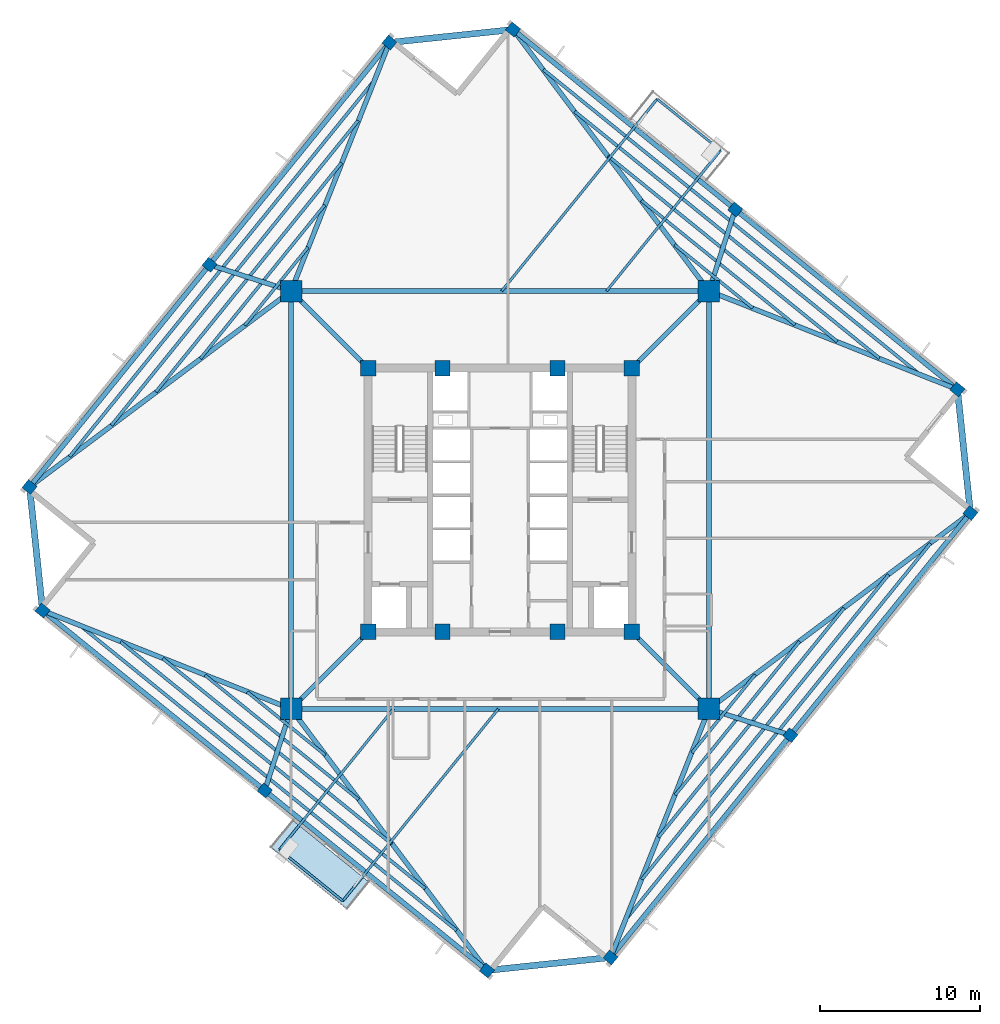
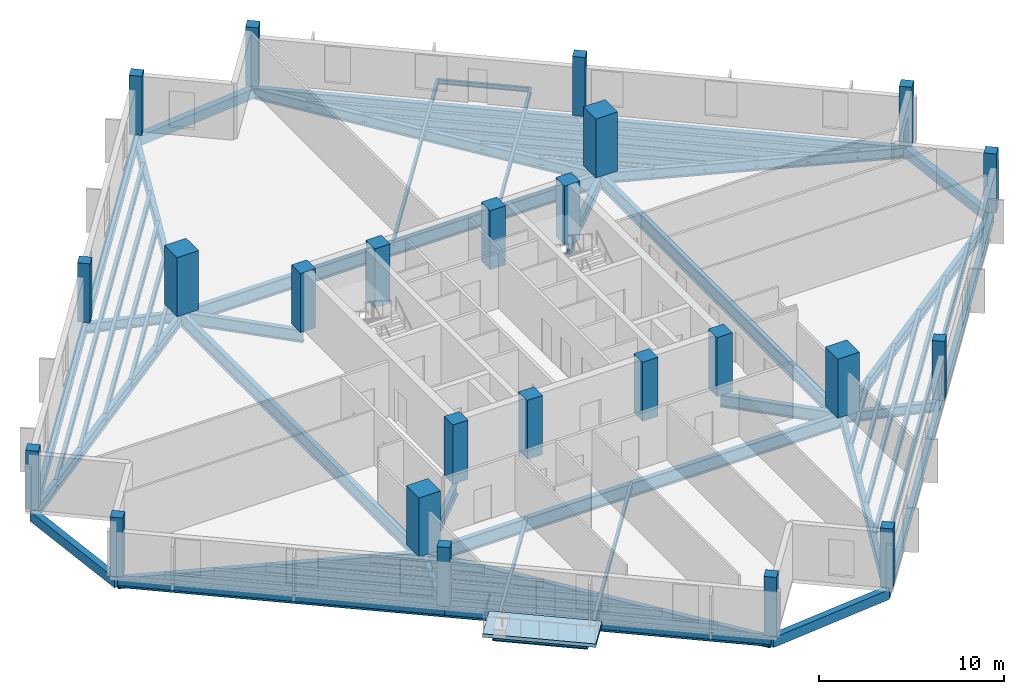
# One storey, part 1 of 10: 58 beams, 24 columns, 1 slab.
"""IFC4 building model written with IfcOpenShell, lengths in metres."""

from ifc_helpers import new_model, si_unit, direction, frame, origin, origin_2d, place, context, subcontext, project, spatial, polyline, rectangle, i_section, outline, extrude, source, transform, mapped, material, layer, layer_set, material_profile, profile_set, type_object, element, save


model = new_model("IFC4")

# Units and contexts
model_context = context("Model", 3, precision=1e-05, world=origin(), true_north=direction((0.0, 1.0)))
body_context = subcontext(model_context, "Body", "Model", "MODEL_VIEW")
ifc_project = project(units=[si_unit("LENGTHUNIT", "METRE"), si_unit("AREAUNIT", "SQUARE_METRE"), si_unit("VOLUMEUNIT", "CUBIC_METRE"), si_unit("PLANEANGLEUNIT", "RADIAN"), si_unit("MASSUNIT", "GRAM", prefix="KILO"), si_unit("THERMODYNAMICTEMPERATUREUNIT", "KELVIN")], contexts=[model_context])

# Site, building, storey
site_placement = place(None, origin())
site = spatial("IfcSite", under=ifc_project, at=site_placement, CompositionType="ELEMENT")
building_placement = place(site_placement, origin())
building = spatial("IfcBuilding", under=site, at=building_placement, Name="Kosmvard Interchange Tower", CompositionType="ELEMENT")
storey_placement = place(building_placement, frame((0.0, 0.0, 205.60009765625)))
storey = spatial("IfcBuildingStorey", under=building, at=storey_placement, Name="L49", CompositionType="ELEMENT", Elevation=205.60009765625)

# Columns
ifc_material_1 = material(Name="Concrete C60/75", Category="concrete")
ifc_material_profile_1 = material_profile(ifc_material_1, rectangle(XDim=0.949951171875, YDim=0.949951171875, at=origin_2d()), Name="CP 950x950")
ifc_profile_set_1 = profile_set([ifc_material_profile_1], Name="Concrete C60/75")
column_type_1 = type_object("IfcColumnType", Name="Core Boundary Pilaster 950x950 C60/75", PredefinedType="PILASTER", material=ifc_profile_set_1)
shared_shape_1 = source(origin(), body_context, "Body", "SweptSolid", [
    extrude(rectangle(XDim=0.949951171875, YDim=0.949951171875, at=origin_2d()), origin(), (0.0, 0.0, 1.0), 3.89990234375),
])
for number, where, z_axis, x_axis, name in (
    (1, (-8.25, -8.25, 0.0), (0.0, 0.0, 1.0), (1.0, 0.0, 0.0), "L49 Core Pilaster CP1"),
    (2, (8.25, -8.25, 0.0), (0.0, 0.0, 1.0), (1.0, 0.0, 0.0), "L49 Core Pilaster CP2"),
    (3, (8.25, 8.25, 0.0), (0.0, 0.0, 1.0), (1.0, 0.0, 0.0), "L49 Core Pilaster CP3"),
    (4, (-8.25, 8.25, 0.0), (0.0, 0.0, 1.0), (1.0, 0.0, 0.0), "L49 Core Pilaster CP4"),
    (5, (-3.60009765625, -8.25, 0.0), (0.0, 0.0, 1.0), (1.0, 0.0, 0.0), "L49 Core Pilaster CP5"),
    (6, (3.60009765625, -8.25, 0.0), (0.0, 0.0, 1.0), (1.0, 0.0, 0.0), "L49 Core Pilaster CP6"),
    (7, (-3.60009765625, 8.25, 0.0), (0.0, 0.0, 1.0), (1.0, 0.0, 0.0), "L49 Core Pilaster CP7"),
    (8, (3.60009765625, 8.25, 0.0), (0.0, 0.0, 1.0), (1.0, 0.0, 0.0), "L49 Core Pilaster CP8"),
):
    element("IfcColumn", number, at=place(storey_placement, frame(where, z_axis=z_axis, x_axis=x_axis)), inside=storey, type_object=column_type_1, Name=name, PredefinedType="PILASTER", context=body_context, shape_type="MappedRepresentation", body=[
        mapped(shared_shape_1, transform((0.0, 0.0, 0.0), scale=1.0)),
    ])
ifc_material_profile_2 = material_profile(ifc_material_1, rectangle(XDim=1.35009765625, YDim=1.35009765625, at=origin_2d()), Name="MC 1350x1350")
ifc_profile_set_2 = profile_set([ifc_material_profile_2], Name="Concrete C60/75")
column_type_2 = type_object("IfcColumnType", Name="Composite Mega-Column 1350x1350 C60/75", PredefinedType="COLUMN", material=ifc_profile_set_2)
shared_shape_2 = source(origin(), body_context, "Body", "SweptSolid", [
    extrude(rectangle(XDim=1.35009765625, YDim=1.35009765625, at=origin_2d()), origin(), (0.0, 0.0, 1.0), 3.89990234375),
])
for number, where, z_axis, x_axis, name in (
    (9, (-13.0810546875, -13.0810546875, 0.0), (0.0, 0.0, 1.0), (1.0, 0.0, 0.0), "L49 Corner Mega-Column MC1"),
    (10, (13.0810546875, -13.0810546875, 0.0), (0.0, 0.0, 1.0), (1.0, 0.0, 0.0), "L49 Corner Mega-Column MC2"),
    (11, (13.0810546875, 13.0810546875, 0.0), (0.0, 0.0, 1.0), (1.0, 0.0, 0.0), "L49 Corner Mega-Column MC3"),
    (12, (-13.0810546875, 13.0810546875, 0.0), (0.0, 0.0, 1.0), (1.0, 0.0, 0.0), "L49 Corner Mega-Column MC4"),
):
    element("IfcColumn", number, at=place(storey_placement, frame(where, z_axis=z_axis, x_axis=x_axis)), inside=storey, type_object=column_type_2, Name=name, PredefinedType="COLUMN", context=body_context, shape_type="MappedRepresentation", body=[
        mapped(shared_shape_2, transform((0.0, 0.0, 0.0), scale=1.0)),
    ])
ifc_material_2 = material(Name="Concrete C50/60", Category="concrete")
ifc_material_profile_3 = material_profile(ifc_material_2, rectangle(XDim=0.64990234375, YDim=0.699951171875, at=origin_2d()), Name="TC 700x650")
ifc_profile_set_3 = profile_set([ifc_material_profile_3], Name="Concrete C50/60")
column_type_3 = type_object("IfcColumnType", Name="Zone 4 Perimeter Pier Column 700x650 C50/60", PredefinedType="COLUMN", material=ifc_profile_set_3)
shared_shape_3 = source(origin(), body_context, "Body", "SweptSolid", [
    extrude(rectangle(XDim=0.64990234375, YDim=0.699951171875, at=origin_2d()), origin(), (0.0, 0.0, 1.0), 3.89990234375),
])
for number, where, z_axis, x_axis, name in (
    (13, (6.92041015625, -28.636962890625, 0.0), (0.0, 0.0, 1.0), (0.62932039105, 0.777145961457, 0.0), "L49 Perimeter Pier Column TC-S1"),
    (14, (18.185302734375, -14.72607421875, 0.0), (0.0, 0.0, 1.0), (0.62932039105, 0.777145961457, 0.0), "L49 Perimeter Pier Column TC-S2"),
    (15, (29.449951171875, -0.815185546875, 0.0), (0.0, 0.0, 1.0), (0.62932039105, 0.777145961457, 0.0), "L49 Perimeter Pier Column TC-S3"),
    (16, (28.636962890625, 6.92041015625, 0.0), (0.0, 0.0, 1.0), (0.62932039105, 0.777145961457, 0.0), "L49 Perimeter Pier Column TC-E1"),
    (17, (14.72607421875, 18.185302734375, 0.0), (0.0, 0.0, 1.0), (0.62932039105, 0.777145961457, 0.0), "L49 Perimeter Pier Column TC-E2"),
    (18, (0.815185546875, 29.449951171875, 0.0), (0.0, 0.0, 1.0), (0.62932039105, 0.777145961457, 0.0), "L49 Perimeter Pier Column TC-E3"),
    (19, (-6.92041015625, 28.636962890625, 0.0), (0.0, 0.0, 1.0), (0.62932039105, 0.777145961457, 0.0), "L49 Perimeter Pier Column TC-N1"),
    (20, (-18.185302734375, 14.72607421875, 0.0), (0.0, 0.0, 1.0), (0.62932039105, 0.777145961457, 0.0), "L49 Perimeter Pier Column TC-N2"),
    (21, (-29.449951171875, 0.815185546875, 0.0), (0.0, 0.0, 1.0), (0.62932039105, 0.777145961457, 0.0), "L49 Perimeter Pier Column TC-N3"),
    (22, (-28.636962890625, -6.92041015625, 0.0), (0.0, 0.0, 1.0), (0.62932039105, 0.777145961457, 0.0), "L49 Perimeter Pier Column TC-W1"),
    (23, (-14.72607421875, -18.185302734375, 0.0), (0.0, 0.0, 1.0), (0.62932039105, 0.777145961457, 0.0), "L49 Perimeter Pier Column TC-W2"),
    (24, (-0.815185546875, -29.449951171875, 0.0), (0.0, 0.0, 1.0), (0.62932039105, 0.777145961457, 0.0), "L49 Perimeter Pier Column TC-W3"),
):
    element("IfcColumn", number, at=place(storey_placement, frame(where, z_axis=z_axis, x_axis=x_axis)), inside=storey, type_object=column_type_3, Name=name, PredefinedType="COLUMN", context=body_context, shape_type="MappedRepresentation", body=[
        mapped(shared_shape_3, transform((0.0, 0.0, 0.0), scale=1.0)),
    ])

# Beams
ifc_material_3 = material(Name="Steel S355", Category="steel")
ifc_material_profile_4 = material_profile(ifc_material_3, i_section(OverallWidth=0.14990234375, OverallDepth=0.300048828125, WebThickness=0.007080078125, FlangeThickness=0.0107421875, FilletRadius=0.014892578125, at=origin_2d()), Name="IPE 300")
ifc_profile_set_4 = profile_set([ifc_material_profile_4], Name="Steel S355")
beam_type_1 = type_object("IfcBeamType", Name="Balcony Edge Header Joist IPE 300 S355", PredefinedType="JOIST", material=ifc_profile_set_4)
shared_shape_4 = source(origin(), body_context, "Body", "SweptSolid", [
    extrude(i_section(OverallWidth=0.14990234375, OverallDepth=0.300048828125, WebThickness=0.007080078125, FlangeThickness=0.0107421875, FilletRadius=0.014892578125, at=origin_2d()), origin(), (0.0, 0.0, 1.0), 5.099853515625),
])
for number, where, z_axis, x_axis, name in (
    (25, (13.80322265625, 21.89208984375, -0.39013671875), (-0.777146757369, 0.629319408179, 0.0), (-0.629319408179, -0.777146757369, 0.0), "BM-L49-BJH1"),
    (26, (-13.80322265625, -21.89208984375, -0.39013671875), (0.777146757369, -0.629319408179, 0.0), (0.629319408179, 0.777146757369, 0.0), "BM-L49-BJH2"),
):
    element("IfcBeam", number, at=place(storey_placement, frame(where, z_axis=z_axis, x_axis=x_axis)), inside=storey, type_object=beam_type_1, Name=name, PredefinedType="JOIST", context=body_context, shape_type="MappedRepresentation", body=[
        mapped(shared_shape_4, transform((0.0, 0.0, 0.0), scale=1.0)),
    ])
ifc_material_profile_5 = material_profile(ifc_material_3, i_section(OverallWidth=0.300048828125, OverallDepth=0.800048828125, WebThickness=0.017578125, FlangeThickness=0.032958984375, FilletRadius=0.027099609375, at=origin_2d()), Name="HEB 800")
ifc_profile_set_5 = profile_set([ifc_material_profile_5], Name="Steel S355")
beam_type_2 = type_object("IfcBeamType", Name="Primary Mega-Frame Girder HEB 800 S355", PredefinedType="BEAM", material=ifc_profile_set_5)
shared_shape_5 = source(origin(), body_context, "Body", "SweptSolid", [
    extrude(i_section(OverallWidth=0.300048828125, OverallDepth=0.800048828125, WebThickness=0.017578125, FlangeThickness=0.032958984375, FilletRadius=0.027099609375, at=origin_2d()), origin(), (0.0, 0.0, 1.0), 6.83203125),
])
for number, where, z_axis, x_axis, name in (
    (27, (-8.25, -8.25, -0.64013671875), (-0.707106781187, -0.707106781187, 0.0), (0.707106781187, -0.707106781187, 0.0), "L49 Radial Mega-Frame Girder 1"),
    (28, (8.25, -8.25, -0.64013671875), (0.707106781187, -0.707106781187, 0.0), (0.707106781187, 0.707106781187, 0.0), "L49 Radial Mega-Frame Girder 2"),
    (29, (8.25, 8.25, -0.64013671875), (0.707106781187, 0.707106781187, 0.0), (-0.707106781187, 0.707106781187, 0.0), "L49 Radial Mega-Frame Girder 3"),
    (30, (-8.25, 8.25, -0.64013671875), (-0.707106781187, 0.707106781187, 0.0), (-0.707106781187, -0.707106781187, 0.0), "L49 Radial Mega-Frame Girder 4"),
):
    element("IfcBeam", number, at=place(storey_placement, frame(where, z_axis=z_axis, x_axis=x_axis)), inside=storey, type_object=beam_type_2, Name=name, PredefinedType="BEAM", context=body_context, shape_type="MappedRepresentation", body=[
        mapped(shared_shape_5, transform((0.0, 0.0, 0.0), scale=1.0)),
    ])
ifc_material_profile_6 = material_profile(ifc_material_3, i_section(OverallWidth=0.300048828125, OverallDepth=0.89990234375, WebThickness=0.0185546875, FlangeThickness=0.034912109375, FilletRadius=0.030029296875, at=origin_2d()), Name="HEB 900")
ifc_profile_set_6 = profile_set([ifc_material_profile_6], Name="Steel S355")
beam_type_3 = type_object("IfcBeamType", Name="Mega-Column Ring Girder HEB 900 S355", PredefinedType="BEAM", material=ifc_profile_set_6)
shared_shape_6 = source(origin(), body_context, "Body", "SweptSolid", [
    extrude(i_section(OverallWidth=0.300048828125, OverallDepth=0.89990234375, WebThickness=0.0185546875, FlangeThickness=0.034912109375, FilletRadius=0.030029296875, at=origin_2d()), origin(), (0.0, 0.0, 1.0), 26.162109375),
])
for number, where, z_axis, x_axis, name in (
    (31, (-13.0810546875, -13.0810546875, -0.690185546875), (1.0, 0.0, 0.0), (0.0, 1.0, 0.0), "L49 Mega-Column Ring Girder 1"),
    (32, (13.0810546875, -13.0810546875, -0.690185546875), (0.0, 1.0, 0.0), (-1.0, 0.0, 0.0), "L49 Mega-Column Ring Girder 2"),
    (33, (13.0810546875, 13.0810546875, -0.690185546875), (-1.0, 0.0, 0.0), (0.0, -1.0, 0.0), "L49 Mega-Column Ring Girder 3"),
    (34, (-13.0810546875, 13.0810546875, -0.690185546875), (0.0, -1.0, 0.0), (1.0, 0.0, 0.0), "L49 Mega-Column Ring Girder 4"),
):
    element("IfcBeam", number, at=place(storey_placement, frame(where, z_axis=z_axis, x_axis=x_axis)), inside=storey, type_object=beam_type_3, Name=name, PredefinedType="BEAM", context=body_context, shape_type="MappedRepresentation", body=[
        mapped(shared_shape_6, transform((0.0, 0.0, 0.0), scale=1.0)),
    ])
ifc_material_profile_7 = material_profile(ifc_material_3, i_section(OverallWidth=0.300048828125, OverallDepth=0.60009765625, WebThickness=0.015380859375, FlangeThickness=0.030029296875, FilletRadius=0.027099609375, at=origin_2d()), Name="HEB 600")
ifc_profile_set_7 = profile_set([ifc_material_profile_7], Name="Steel S355")
beam_type_4 = type_object("IfcBeamType", Name="Perimeter Tie Girder HEB 600 S355", PredefinedType="BEAM", material=ifc_profile_set_7)
shared_shape_7 = source(origin(), body_context, "Body", "SweptSolid", [
    extrude(i_section(OverallWidth=0.300048828125, OverallDepth=0.60009765625, WebThickness=0.015380859375, FlangeThickness=0.030029296875, FilletRadius=0.027099609375, at=origin_2d()), origin(), (0.0, 0.0, 1.0), 17.89990234375),
])
for number, where, z_axis, x_axis, name in (
    (35, (6.92041015625, -28.636962890625, -0.5400390625), (0.629322990554, 0.777143856413, 0.0), (-0.777143856413, 0.629322990554, 0.0), "BM-L49-PR01"),
    (36, (18.185302734375, -14.72607421875, -0.5400390625), (0.629314753061, 0.777150526976, 0.0), (-0.777150526976, 0.629314753061, 0.0), "BM-L49-PR02"),
    (37, (28.636962890625, 6.92041015625, -0.5400390625), (-0.777143856413, 0.629322990554, 0.0), (-0.629322990554, -0.777143856413, 0.0), "BM-L49-PR04"),
    (38, (14.72607421875, 18.185302734375, -0.5400390625), (-0.777150526976, 0.629314753061, 0.0), (-0.629314753061, -0.777150526976, 0.0), "BM-L49-PR05"),
    (39, (-6.92041015625, 28.636962890625, -0.5400390625), (-0.629322990554, -0.777143856413, 0.0), (0.777143856413, -0.629322990554, 0.0), "BM-L49-PR07"),
    (40, (-18.185302734375, 14.72607421875, -0.5400390625), (-0.629314753061, -0.777150526976, 0.0), (0.777150526976, -0.629314753061, 0.0), "BM-L49-PR08"),
    (41, (-28.636962890625, -6.92041015625, -0.5400390625), (0.777143856413, -0.629322990554, 0.0), (0.629322990554, 0.777143856413, 0.0), "BM-L49-PR10"),
    (42, (-14.72607421875, -18.185302734375, -0.5400390625), (0.777150526976, -0.629314753061, 0.0), (0.629314753061, 0.777150526976, 0.0), "BM-L49-PR11"),
):
    element("IfcBeam", number, at=place(storey_placement, frame(where, z_axis=z_axis, x_axis=x_axis)), inside=storey, type_object=beam_type_4, Name=name, PredefinedType="BEAM", context=body_context, shape_type="MappedRepresentation", body=[
        mapped(shared_shape_7, transform((0.0, 0.0, 0.0), scale=1.0)),
    ])
ifc_material_profile_8 = material_profile(ifc_material_3, i_section(OverallWidth=0.300048828125, OverallDepth=0.699951171875, WebThickness=0.01708984375, FlangeThickness=0.031982421875, FilletRadius=0.027099609375, at=origin_2d()), Name="HEB 700")
ifc_profile_set_8 = profile_set([ifc_material_profile_8], Name="Steel S355")
beam_type_5 = type_object("IfcBeamType", Name="Primary Floor Girder HEB 700 S355", PredefinedType="BEAM", material=ifc_profile_set_8)
shared_shape_8 = source(origin(), body_context, "Body", "SweptSolid", [
    extrude(i_section(OverallWidth=0.300048828125, OverallDepth=0.699951171875, WebThickness=0.01708984375, FlangeThickness=0.031982421875, FilletRadius=0.027099609375, at=origin_2d()), origin(), (0.0, 0.0, 1.0), 16.7314453125),
])
for number, where, z_axis, x_axis, name in (
    (43, (13.0810546875, -13.0810546875, -0.590087890625), (-0.368208500474, -0.929743244223, 0.0), (0.929743244223, -0.368208500474, 0.0), "BM-L49-RD01"),
    (44, (13.0810546875, 13.0810546875, -0.590087890625), (0.929743244223, -0.368208500474, 0.0), (0.368208500474, 0.929743244223, 0.0), "BM-L49-RD04"),
    (45, (-13.0810546875, 13.0810546875, -0.590087890625), (0.368208500474, 0.929743244223, 0.0), (-0.929743244223, 0.368208500474, 0.0), "BM-L49-RD07"),
    (46, (-13.0810546875, -13.0810546875, -0.590087890625), (-0.929743244223, 0.368208500474, 0.0), (-0.368208500474, -0.929743244223, 0.0), "BM-L49-RD10"),
):
    element("IfcBeam", number, at=place(storey_placement, frame(where, z_axis=z_axis, x_axis=x_axis)), inside=storey, type_object=beam_type_5, Name=name, PredefinedType="BEAM", context=body_context, shape_type="MappedRepresentation", body=[
        mapped(shared_shape_8, transform((0.0, 0.0, 0.0), scale=1.0)),
    ])
ifc_material_profile_9 = material_profile(ifc_material_3, i_section(OverallWidth=0.300048828125, OverallDepth=0.64990234375, WebThickness=0.01611328125, FlangeThickness=0.031005859375, FilletRadius=0.027099609375, at=origin_2d()), Name="HEB 650")
ifc_profile_set_9 = profile_set([ifc_material_profile_9], Name="Steel S355")
beam_type_6 = type_object("IfcBeamType", Name="Primary Floor Girder HEB 650 S355", PredefinedType="BEAM", material=ifc_profile_set_9)
shared_shape_9 = source(origin(), body_context, "Body", "SweptSolid", [
    extrude(i_section(OverallWidth=0.300048828125, OverallDepth=0.64990234375, WebThickness=0.01611328125, FlangeThickness=0.031005859375, FilletRadius=0.027099609375, at=origin_2d()), origin(), (0.0, 0.0, 1.0), 5.36279296875),
])
for number, where, z_axis, x_axis, name in (
    (47, (13.0810546875, -13.0810546875, -0.565185546875), (0.951790966135, -0.306747382686, 0.0), (0.306747382686, 0.951790966135, 0.0), "BM-L49-RD02"),
    (48, (13.0810546875, 13.0810546875, -0.565185546875), (0.306747382686, 0.951790966135, 0.0), (-0.951790966135, 0.306747382686, 0.0), "BM-L49-RD05"),
    (49, (-13.0810546875, 13.0810546875, -0.565185546875), (-0.951790966135, 0.306747382686, 0.0), (-0.306747382686, -0.951790966135, 0.0), "BM-L49-RD08"),
    (50, (-13.0810546875, -13.0810546875, -0.565185546875), (-0.306747382686, -0.951790966135, 0.0), (0.951790966135, -0.306747382686, 0.0), "BM-L49-RD11"),
):
    element("IfcBeam", number, at=place(storey_placement, frame(where, z_axis=z_axis, x_axis=x_axis)), inside=storey, type_object=beam_type_6, Name=name, PredefinedType="BEAM", context=body_context, shape_type="MappedRepresentation", body=[
        mapped(shared_shape_9, transform((0.0, 0.0, 0.0), scale=1.0)),
    ])
ifc_material_4 = material(Name="Precast concrete C45/55", Category="concrete")
ifc_material_profile_10 = material_profile(ifc_material_4, rectangle(XDim=0.39990234375, YDim=0.64990234375, at=origin_2d()), Name="SL 400x650")
ifc_profile_set_10 = profile_set([ifc_material_profile_10], Name="Precast concrete C45/55")
beam_type_7 = type_object("IfcBeamType", Name="Precast Spandrel Lintel 400x650 C45/55", PredefinedType="LINTEL", material=ifc_profile_set_10)
shared_shape_10 = source(origin(), body_context, "Body", "SweptSolid", [
    extrude(rectangle(XDim=0.39990234375, YDim=0.64990234375, at=origin_2d()), origin(), (0.0, 0.0, 1.0), 7.7783203125),
])
for number, where, z_axis, x_axis, name in (
    (51, (29.449951171875, -0.815185546875, -0.565185546875), (-0.104521394525, 0.994522638298, 0.0), (-0.994522638298, -0.104521394525, 0.0), "BM-L49-SL1"),
    (52, (0.815185546875, 29.449951171875, -0.565185546875), (-0.994522638298, -0.104521394525, 0.0), (0.104521394525, -0.994522638298, 0.0), "BM-L49-SL2"),
    (53, (-29.449951171875, 0.815185546875, -0.565185546875), (0.104521394525, -0.994522638298, 0.0), (0.994522638298, 0.104521394525, 0.0), "BM-L49-SL3"),
    (54, (-0.815185546875, -29.449951171875, -0.565185546875), (0.994522638298, 0.104521394525, 0.0), (-0.104521394525, 0.994522638298, 0.0), "BM-L49-SL4"),
):
    element("IfcBeam", number, at=place(storey_placement, frame(where, z_axis=z_axis, x_axis=x_axis)), inside=storey, type_object=beam_type_7, Name=name, PredefinedType="LINTEL", context=body_context, shape_type="MappedRepresentation", body=[
        mapped(shared_shape_10, transform((0.0, 0.0, 0.0), scale=1.0)),
    ])
shared_shape_11 = source(origin(), body_context, "Body", "SweptSolid", [
    extrude(i_section(OverallWidth=0.300048828125, OverallDepth=0.699951171875, WebThickness=0.01708984375, FlangeThickness=0.031982421875, FilletRadius=0.027099609375, at=origin_2d()), origin(), (0.0, 0.0, 1.0), 20.45458984375),
])
for number, where, z_axis, x_axis, name in (
    (55, (13.0810546875, -13.0810546875, -0.590087890625), (0.800253443036, 0.599661927179, 0.0), (-0.599661927179, 0.800253443036, 0.0), "BM-L49-RD03"),
    (56, (13.0810546875, 13.0810546875, -0.590087890625), (-0.599661927179, 0.800253443036, 0.0), (-0.800253443036, -0.599661927179, 0.0), "BM-L49-RD06"),
    (57, (-13.0810546875, 13.0810546875, -0.590087890625), (-0.800253443036, -0.599661927179, 0.0), (0.599661927179, -0.800253443036, 0.0), "BM-L49-RD09"),
    (58, (-13.0810546875, -13.0810546875, -0.590087890625), (0.599661927179, -0.800253443036, 0.0), (0.800253443036, 0.599661927179, 0.0), "BM-L49-RD12"),
):
    element("IfcBeam", number, at=place(storey_placement, frame(where, z_axis=z_axis, x_axis=x_axis)), inside=storey, type_object=beam_type_5, Name=name, PredefinedType="BEAM", context=body_context, shape_type="MappedRepresentation", body=[
        mapped(shared_shape_11, transform((0.0, 0.0, 0.0), scale=1.0)),
    ])
ifc_material_profile_11 = material_profile(ifc_material_3, i_section(OverallWidth=0.18994140625, OverallDepth=0.449951171875, WebThickness=0.009521484375, FlangeThickness=0.0146484375, FilletRadius=0.02099609375, at=origin_2d()), Name="IPE 450")
ifc_profile_set_11 = profile_set([ifc_material_profile_11], Name="Steel S355")
beam_type_8 = type_object("IfcBeamType", Name="Mid-Rise Floor Joist IPE 450 S355", PredefinedType="JOIST", material=ifc_profile_set_11)
shared_shape_12 = source(origin(), body_context, "Body", "SweptSolid", [
    extrude(i_section(OverallWidth=0.18994140625, OverallDepth=0.449951171875, WebThickness=0.009521484375, FlangeThickness=0.0146484375, FilletRadius=0.02099609375, at=origin_2d()), origin(), (0.0, 0.0, 1.0), 6.283935546875),
])
for number, where, z_axis, x_axis, name in (
    (59, (12.0224609375, -15.81884765625, -0.465087890625), (0.629317809561, 0.777148051898, 0.0), (-0.777148051898, 0.629317809561, 0.0), "BM-L49-FJ01"),
    (60, (15.81884765625, 12.0224609375, -0.465087890625), (-0.777148051898, 0.629317809561, 0.0), (-0.629317809561, -0.777148051898, 0.0), "BM-L49-FJ06"),
    (61, (-12.0224609375, 15.81884765625, -0.465087890625), (-0.629317809561, -0.777148051898, 0.0), (0.777148051898, -0.629317809561, 0.0), "BM-L49-FJ11"),
    (62, (-15.81884765625, -12.0224609375, -0.465087890625), (0.777148051898, -0.629317809561, 0.0), (0.629317809561, 0.777148051898, 0.0), "BM-L49-FJ16"),
):
    element("IfcBeam", number, at=place(storey_placement, frame(where, z_axis=z_axis, x_axis=x_axis)), inside=storey, type_object=beam_type_8, Name=name, PredefinedType="JOIST", context=body_context, shape_type="MappedRepresentation", body=[
        mapped(shared_shape_12, transform((0.0, 0.0, 0.0), scale=1.0)),
    ])
shared_shape_13 = source(origin(), body_context, "Body", "SweptSolid", [
    extrude(i_section(OverallWidth=0.18994140625, OverallDepth=0.449951171875, WebThickness=0.009521484375, FlangeThickness=0.0146484375, FilletRadius=0.02099609375, at=origin_2d()), origin(), (0.0, 0.0, 1.0), 12.369873046875),
])
for number, where, z_axis, x_axis, name in (
    (63, (10.97509765625, -18.46337890625, -0.465087890625), (0.629319722443, 0.777146502883, 0.0), (-0.777146502883, 0.629319722443, 0.0), "BM-L49-FJ02"),
    (64, (18.46337890625, 10.97509765625, -0.465087890625), (-0.777146502883, 0.629319722443, 0.0), (-0.629319722443, -0.777146502883, 0.0), "BM-L49-FJ07"),
    (65, (-10.97509765625, 18.46337890625, -0.465087890625), (-0.629319722443, -0.777146502883, 0.0), (0.777146502883, -0.629319722443, 0.0), "BM-L49-FJ12"),
    (66, (-18.46337890625, -10.97509765625, -0.465087890625), (0.777146502883, -0.629319722443, 0.0), (0.629319722443, 0.777146502883, 0.0), "BM-L49-FJ17"),
):
    element("IfcBeam", number, at=place(storey_placement, frame(where, z_axis=z_axis, x_axis=x_axis)), inside=storey, type_object=beam_type_8, Name=name, PredefinedType="JOIST", context=body_context, shape_type="MappedRepresentation", body=[
        mapped(shared_shape_13, transform((0.0, 0.0, 0.0), scale=1.0)),
    ])
ifc_material_profile_12 = material_profile(ifc_material_3, i_section(OverallWidth=0.199951171875, OverallDepth=0.5, WebThickness=0.01025390625, FlangeThickness=0.01611328125, FilletRadius=0.02099609375, at=origin_2d()), Name="IPE 500")
ifc_profile_set_12 = profile_set([ifc_material_profile_12], Name="Steel S355")
beam_type_9 = type_object("IfcBeamType", Name="Standard Floor Joist IPE 500 S355", PredefinedType="JOIST", material=ifc_profile_set_12)
shared_shape_14 = source(origin(), body_context, "Body", "SweptSolid", [
    extrude(i_section(OverallWidth=0.199951171875, OverallDepth=0.5, WebThickness=0.01025390625, FlangeThickness=0.01611328125, FilletRadius=0.02099609375, at=origin_2d()), origin(), (0.0, 0.0, 1.0), 18.4560546875),
])
for number, where, z_axis, x_axis, name in (
    (67, (9.927734375, -21.10791015625, -0.489990234375), (0.629320373744, 0.777145975471, 0.0), (-0.777145975471, 0.629320373744, 0.0), "BM-L49-FJ03"),
    (68, (21.10791015625, 9.927734375, -0.489990234375), (-0.777145975471, 0.629320373744, 0.0), (-0.629320373744, -0.777145975471, 0.0), "BM-L49-FJ08"),
    (69, (-9.927734375, 21.10791015625, -0.489990234375), (-0.629320373744, -0.777145975471, 0.0), (0.777145975471, -0.629320373744, 0.0), "BM-L49-FJ13"),
    (70, (-21.10791015625, -9.927734375, -0.489990234375), (0.777145975471, -0.629320373744, 0.0), (0.629320373744, 0.777145975471, 0.0), "BM-L49-FJ18"),
):
    element("IfcBeam", number, at=place(storey_placement, frame(where, z_axis=z_axis, x_axis=x_axis)), inside=storey, type_object=beam_type_9, Name=name, PredefinedType="JOIST", context=body_context, shape_type="MappedRepresentation", body=[
        mapped(shared_shape_14, transform((0.0, 0.0, 0.0), scale=1.0)),
    ])
shared_shape_15 = source(origin(), body_context, "Body", "SweptSolid", [
    extrude(i_section(OverallWidth=0.199951171875, OverallDepth=0.5, WebThickness=0.01025390625, FlangeThickness=0.01611328125, FilletRadius=0.02099609375, at=origin_2d()), origin(), (0.0, 0.0, 1.0), 24.5419921875),
])
for number, where, z_axis, x_axis, name in (
    (71, (8.880615234375, -23.75244140625, -0.489990234375), (0.629314693907, 0.777150574878, 0.0), (-0.777150574878, 0.629314693907, 0.0), "BM-L49-FJ04"),
    (72, (23.75244140625, 8.880615234375, -0.489990234375), (-0.777150574878, 0.629314693907, 0.0), (-0.629314693907, -0.777150574878, 0.0), "BM-L49-FJ09"),
    (73, (-8.880615234375, 23.75244140625, -0.489990234375), (-0.629314693907, -0.777150574878, 0.0), (0.777150574878, -0.629314693907, 0.0), "BM-L49-FJ14"),
    (74, (-23.75244140625, -8.880615234375, -0.489990234375), (0.777150574878, -0.629314693907, 0.0), (0.629314693907, 0.777150574878, 0.0), "BM-L49-FJ19"),
):
    element("IfcBeam", number, at=place(storey_placement, frame(where, z_axis=z_axis, x_axis=x_axis)), inside=storey, type_object=beam_type_9, Name=name, PredefinedType="JOIST", context=body_context, shape_type="MappedRepresentation", body=[
        mapped(shared_shape_15, transform((0.0, 0.0, 0.0), scale=1.0)),
    ])
shared_shape_16 = source(origin(), body_context, "Body", "SweptSolid", [
    extrude(i_section(OverallWidth=0.199951171875, OverallDepth=0.5, WebThickness=0.01025390625, FlangeThickness=0.01611328125, FilletRadius=0.02099609375, at=origin_2d()), origin(), (0.0, 0.0, 1.0), 30.27001953125),
])
for number, where, z_axis, x_axis, name in (
    (75, (7.894775390625, -26.241455078125, -0.489990234375), (0.629321655027, 0.777144937907, 0.0), (-0.777144937907, 0.629321655027, 0.0), "BM-L49-FJ05"),
    (76, (26.241455078125, 7.894775390625, -0.489990234375), (-0.777144937907, 0.629321655027, 0.0), (-0.629321655027, -0.777144937907, 0.0), "BM-L49-FJ10"),
    (77, (-7.894775390625, 26.241455078125, -0.489990234375), (-0.629321655027, -0.777144937907, 0.0), (0.777144937907, -0.629321655027, 0.0), "BM-L49-FJ15"),
    (78, (-26.241455078125, -7.894775390625, -0.489990234375), (0.777144937907, -0.629321655027, 0.0), (0.629321655027, 0.777144937907, 0.0), "BM-L49-FJ20"),
):
    element("IfcBeam", number, at=place(storey_placement, frame(where, z_axis=z_axis, x_axis=x_axis)), inside=storey, type_object=beam_type_9, Name=name, PredefinedType="JOIST", context=body_context, shape_type="MappedRepresentation", body=[
        mapped(shared_shape_16, transform((0.0, 0.0, 0.0), scale=1.0)),
    ])
ifc_material_profile_13 = material_profile(ifc_material_3, i_section(OverallWidth=0.159912109375, OverallDepth=0.330078125, WebThickness=0.007568359375, FlangeThickness=0.011474609375, FilletRadius=0.01806640625, at=origin_2d()), Name="IPE 330")
ifc_profile_set_13 = profile_set([ifc_material_profile_13], Name="Steel S355")
beam_type_10 = type_object("IfcBeamType", Name="Balcony Cantilever Joist IPE 330 S355", PredefinedType="JOIST", material=ifc_profile_set_13)
shared_shape_17 = source(origin(), body_context, "Body", "SweptSolid", [
    extrude(i_section(OverallWidth=0.159912109375, OverallDepth=0.330078125, WebThickness=0.007568359375, FlangeThickness=0.011474609375, FilletRadius=0.01806640625, at=origin_2d()), origin(), (0.0, 0.0, 1.0), 11.337646484375),
])
for number, where, z_axis, x_axis, name in (
    (79, (6.668212890625, 13.0810546875, -0.405029296875), (0.629319015631, 0.777147075247, 0.0), (-0.777147075247, 0.629319015631, 0.0), "BM-L49-BJ1"),
    (80, (-6.668212890625, -13.0810546875, -0.405029296875), (-0.629319015631, -0.777147075247, 0.0), (0.777147075247, -0.629319015631, 0.0), "BM-L49-BJ2"),
):
    element("IfcBeam", number, at=place(storey_placement, frame(where, z_axis=z_axis, x_axis=x_axis)), inside=storey, type_object=beam_type_10, Name=name, PredefinedType="JOIST", context=body_context, shape_type="MappedRepresentation", body=[
        mapped(shared_shape_17, transform((0.0, 0.0, 0.0), scale=1.0)),
    ])
shared_shape_18 = source(origin(), body_context, "Body", "SweptSolid", [
    extrude(i_section(OverallWidth=0.159912109375, OverallDepth=0.330078125, WebThickness=0.007568359375, FlangeThickness=0.011474609375, FilletRadius=0.01806640625, at=origin_2d()), origin(), (0.0, 0.0, 1.0), 15.467529296875),
])
for number, where, z_axis, x_axis, name in (
    (81, (0.105712890625, 13.0810546875, -0.405029296875), (0.629324903336, 0.777142307458, 0.0), (-0.777142307458, 0.629324903336, 0.0), "BM-L49-BJB1"),
    (82, (-0.105712890625, -13.0810546875, -0.405029296875), (-0.629324903336, -0.777142307458, 0.0), (0.777142307458, -0.629324903336, 0.0), "BM-L49-BJB2"),
):
    element("IfcBeam", number, at=place(storey_placement, frame(where, z_axis=z_axis, x_axis=x_axis)), inside=storey, type_object=beam_type_10, Name=name, PredefinedType="JOIST", context=body_context, shape_type="MappedRepresentation", body=[
        mapped(shared_shape_18, transform((0.0, 0.0, 0.0), scale=1.0)),
    ])

# Slab
ifc_layer = layer(ifc_material_2, 0.22998046875, Name="Concrete C50/60")
ifc_layer_set = layer_set([ifc_layer], Name="Concrete C50/60")
slab_type = type_object("IfcSlabType", Name="Tree-Planter Cantilever Balcony Slab 230 C50/60", PredefinedType="FLOOR", material=ifc_layer_set)
slab_placement = place(storey_placement, frame((0.0, 0.0, -0.22998046875)))
element("IfcSlab", 83, at=slab_placement, inside=storey, type_object=slab_type, Name="L49 Outdoor Terrace Balcony Slab BAL-L49-W", PredefinedType="FLOOR", context=body_context, shape_type="SweptSolid", body=[
    extrude(outline(polyline([(-9.569580078125, -25.64208984375), (-8.185302734375, -23.932373046875), (-13.00341796875, -20.030517578125), (-14.387939453125, -21.740234375), (-9.569580078125, -25.64208984375)])), origin(), (0.0, 0.0, 1.0), 0.22998046875),
])

save(model, "model.ifc")
